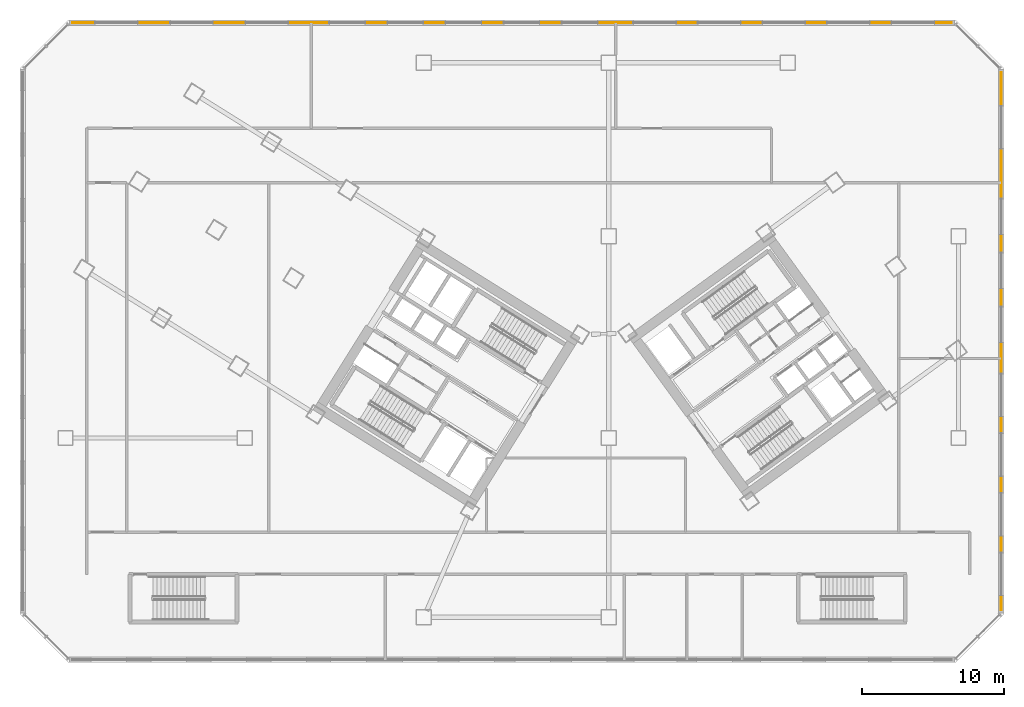
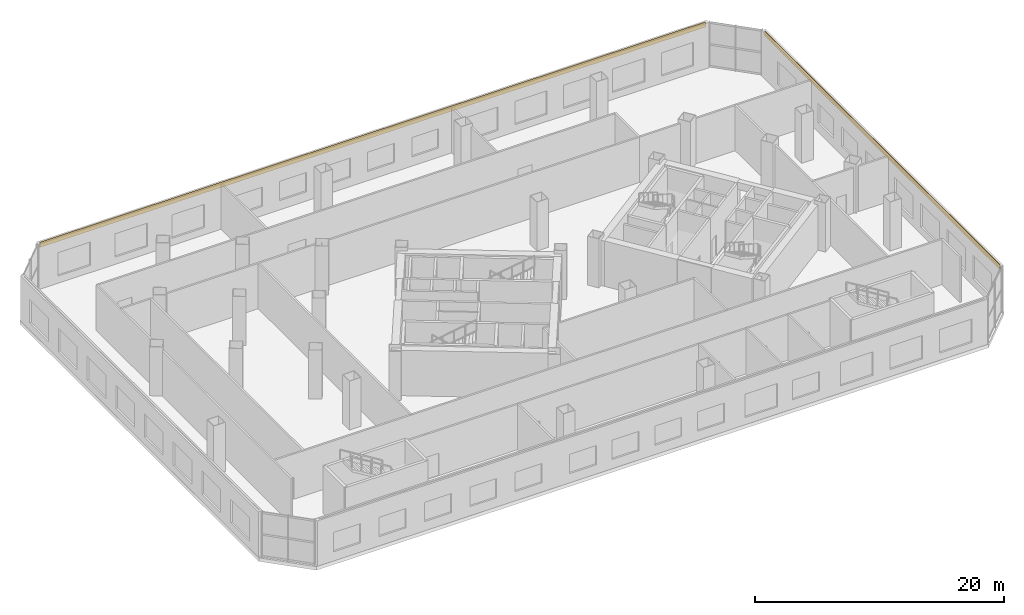
# One storey, part 22 of 22: 2 coverings.
"""IFC4 building model written with IfcOpenShell, lengths in metres."""

from ifc_helpers import new_model, si_unit, direction, frame, origin, origin_2d, place, context, subcontext, project, spatial, rectangle, extrude, source, transform, mapped, material, layer, layer_set, type_object, element, save


model = new_model("IFC4")

# Units and contexts
model_context = context("Model", 3, precision=1e-05, world=origin(), true_north=direction((0.0, 1.0)))
body_context = subcontext(model_context, "Body", "Model", "MODEL_VIEW")
ifc_project = project(units=[si_unit("LENGTHUNIT", "METRE"), si_unit("AREAUNIT", "SQUARE_METRE"), si_unit("VOLUMEUNIT", "CUBIC_METRE"), si_unit("PLANEANGLEUNIT", "RADIAN"), si_unit("MASSUNIT", "GRAM", prefix="KILO")], contexts=[model_context])

# Site, building, storey
site_placement = place(None, origin())
site = spatial("IfcSite", under=ifc_project, at=site_placement, CompositionType="ELEMENT")
building_placement = place(site_placement, origin())
building = spatial("IfcBuilding", under=site, at=building_placement, Name="Tlacorven Tower", CompositionType="ELEMENT")
storey_placement = place(building_placement, frame((0.0, 0.0, 5.39990234375)))
storey = spatial("IfcBuildingStorey", under=building, at=storey_placement, Name="L01", CompositionType="ELEMENT", Elevation=5.39990234375)

# Coverings
ifc_material = material(Name="Precast concrete C45/55", Category="concrete")
ifc_layer = layer(ifc_material, 0.06005859375)
ifc_layer_set = layer_set([ifc_layer], Name="Precast concrete C45/55")
covering_type = type_object("IfcCoveringType", Name="CV-CLD-TERC", PredefinedType="CLADDING", material=ifc_layer_set)
shared_shape_1 = source(origin(), body_context, "Body", "SweptSolid", [
    extrude(rectangle(XDim=37.834228515625, YDim=0.06005859375, at=origin_2d()), origin(), (0.0, 0.0, 1.0), 0.47998046875),
])
covering_1_placement = place(storey_placement, frame((70.39990234375, 24.0, 3.97021484375), z_axis=(0.0, 0.0, 1.0), x_axis=(0.0, -1.0, 0.0)))
element("IfcCovering", 1, at=covering_1_placement, inside=storey, type_object=covering_type, Name="L01 Expressed Terracotta Masonry Spandrel Band 6", PredefinedType="CLADDING", context=body_context, shape_type="MappedRepresentation", body=[
    mapped(shared_shape_1, transform((0.0, 0.0, 0.0), scale=1.0)),
])
shared_shape_2 = source(origin(), body_context, "Body", "SweptSolid", [
    extrude(rectangle(XDim=61.834228515625, YDim=0.06005859375, at=origin_2d()), origin(), (0.0, 0.0, 1.0), 0.47998046875),
])
covering_2_placement = place(storey_placement, frame((36.0, 46.39990234375, 3.97021484375), z_axis=(0.0, 0.0, 1.0), x_axis=(1.0, 0.0, 0.0)))
element("IfcCovering", 2, at=covering_2_placement, inside=storey, type_object=covering_type, Name="L01 Expressed Terracotta Masonry Spandrel Band 4", PredefinedType="CLADDING", context=body_context, shape_type="MappedRepresentation", body=[
    mapped(shared_shape_2, transform((0.0, 0.0, 0.0), scale=1.0)),
])

save(model, "model.ifc")
